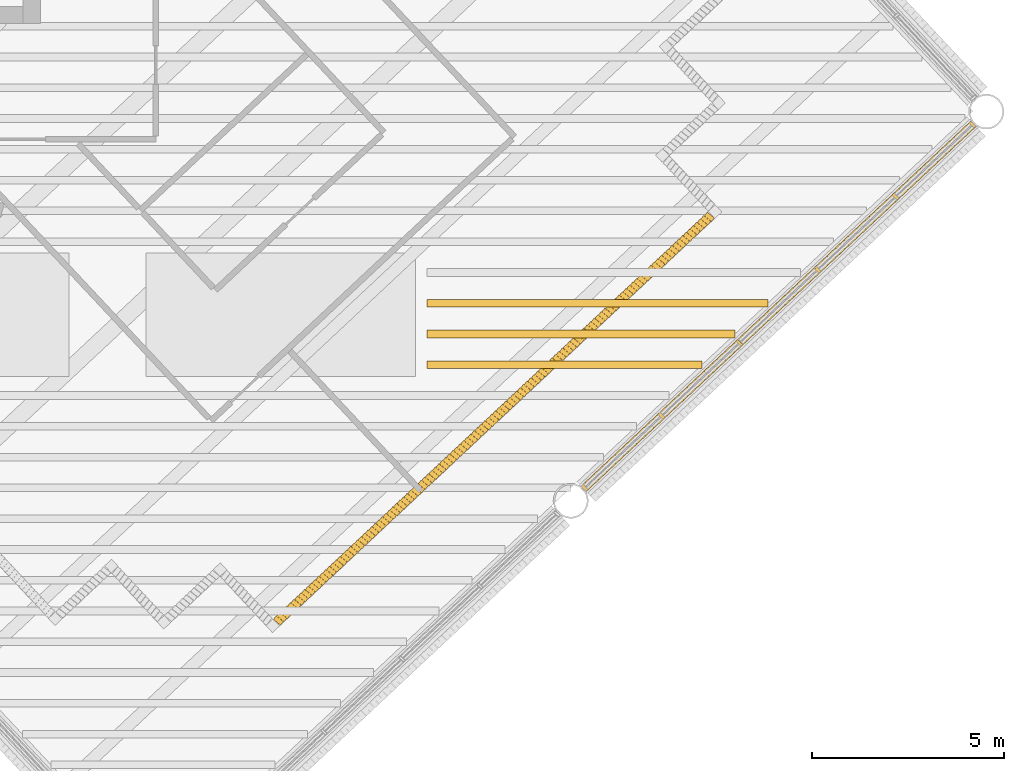
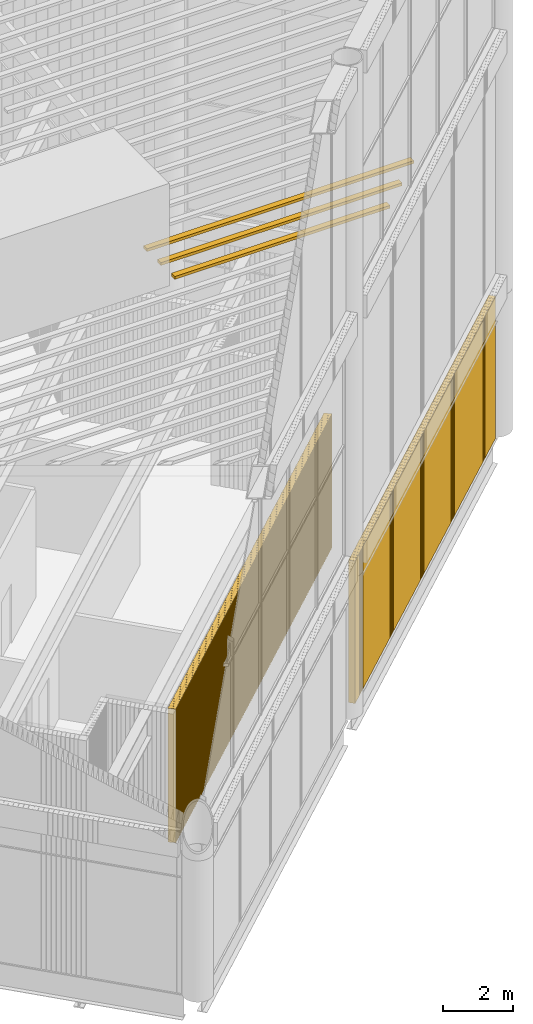
# One storey, part 108 of 117: 4 shading devices, 1 covering.
"""IFC4 building model written with IfcOpenShell, lengths in metres."""

from ifc_helpers import new_model, si_unit, direction, frame, frame_2d, origin, origin_2d, place, context, subcontext, project, spatial, rectangle, composite_profile, extrude, material, type_object, element, save


model = new_model("IFC4")

# Units and contexts
model_context = context("Model", 3, precision=1e-05, world=origin(), true_north=direction((0.0, 1.0)))
body_context = subcontext(model_context, "Body", "Model", "MODEL_VIEW")
ifc_project = project(units=[si_unit("LENGTHUNIT", "METRE"), si_unit("AREAUNIT", "SQUARE_METRE"), si_unit("VOLUMEUNIT", "CUBIC_METRE"), si_unit("PLANEANGLEUNIT", "RADIAN"), si_unit("MASSUNIT", "GRAM", prefix="KILO")], contexts=[model_context])

# Site, building, storey
site_placement = place(None, origin())
site = spatial("IfcSite", under=ifc_project, at=site_placement, CompositionType="ELEMENT")
building_placement = place(site_placement, origin())
building = spatial("IfcBuilding", under=site, at=building_placement, Name="Tarsis Ring Headquarters", CompositionType="ELEMENT")
storey_placement = place(building_placement, frame((0.0, 0.0, 403.60009765625)))
storey = spatial("IfcBuildingStorey", under=building, at=storey_placement, Name="L95", CompositionType="ELEMENT", Elevation=403.60009765625)

# Covering
ifc_material_1 = material(Name="Terracotta louvre", Category="masonry")
covering_type = type_object("IfcCoveringType", Name="Crown louvre fin", PredefinedType="CLADDING", material=ifc_material_1)
covering_placement = place(storey_placement, frame((24.120361328125, -25.0888671875, 0.0), z_axis=(0.0, 0.0, 1.0), x_axis=(0.729925980625, 0.683527612216, 0.0)))
element("IfcCovering", 1, at=covering_placement, inside=storey, type_object=covering_type, Name="Crown louvre base 4", PredefinedType="CLADDING", context=body_context, shape_type="SweptSolid", body=[
    extrude(composite_profile([rectangle(XDim=0.14501953125, YDim=0.199951171875, at=frame_2d((0.072509765625, 0.0))), rectangle(XDim=0.14501953125, YDim=0.199951171875, at=frame_2d((0.223388671875, 0.0))), rectangle(XDim=0.14501953125, YDim=0.199951171875, at=frame_2d((0.37451171875, 0.0))), rectangle(XDim=0.14501953125, YDim=0.199951171875, at=frame_2d((0.525390625, 0.0))), rectangle(XDim=0.14501953125, YDim=0.199951171875, at=frame_2d((0.676513671875, 0.0))), rectangle(XDim=0.14501953125, YDim=0.199951171875, at=frame_2d((0.827392578125, 0.0))), rectangle(XDim=0.14501953125, YDim=0.199951171875, at=frame_2d((0.978515625, 0.0))), rectangle(XDim=0.14501953125, YDim=0.199951171875, at=frame_2d((1.12939453125, 0.0))), rectangle(XDim=0.14501953125, YDim=0.199951171875, at=frame_2d((1.280517578125, 0.0))), rectangle(XDim=0.14501953125, YDim=0.199951171875, at=frame_2d((1.431396484375, 0.0))), rectangle(XDim=0.14501953125, YDim=0.199951171875, at=frame_2d((1.58251953125, 0.0))), rectangle(XDim=0.14501953125, YDim=0.199951171875, at=frame_2d((1.7333984375, 0.0))), rectangle(XDim=0.14501953125, YDim=0.199951171875, at=frame_2d((1.884521484375, 0.0))), rectangle(XDim=0.14501953125, YDim=0.199951171875, at=frame_2d((2.035400390625, 0.0))), rectangle(XDim=0.14501953125, YDim=0.199951171875, at=frame_2d((2.1865234375, 0.0))), rectangle(XDim=0.14501953125, YDim=0.199951171875, at=frame_2d((2.33740234375, 0.0))), rectangle(XDim=0.14501953125, YDim=0.199951171875, at=frame_2d((2.488525390625, 0.0))), rectangle(XDim=0.14501953125, YDim=0.199951171875, at=frame_2d((2.639404296875, 0.0))), rectangle(XDim=0.14501953125, YDim=0.199951171875, at=frame_2d((2.79052734375, 0.0))), rectangle(XDim=0.14501953125, YDim=0.199951171875, at=frame_2d((2.94140625, 0.0))), rectangle(XDim=0.14501953125, YDim=0.199951171875, at=frame_2d((3.092529296875, 0.0))), rectangle(XDim=0.14501953125, YDim=0.199951171875, at=frame_2d((3.243408203125, 0.0))), rectangle(XDim=0.14501953125, YDim=0.199951171875, at=frame_2d((3.39453125, 0.0))), rectangle(XDim=0.14501953125, YDim=0.199951171875, at=frame_2d((3.54541015625, 0.0))), rectangle(XDim=0.14501953125, YDim=0.199951171875, at=frame_2d((3.696533203125, 0.0))), rectangle(XDim=0.14501953125, YDim=0.199951171875, at=frame_2d((3.847412109375, 0.0))), rectangle(XDim=0.14501953125, YDim=0.199951171875, at=frame_2d((3.99853515625, 0.0))), rectangle(XDim=0.14501953125, YDim=0.199951171875, at=frame_2d((4.1494140625, 0.0))), rectangle(XDim=0.14501953125, YDim=0.199951171875, at=frame_2d((4.300537109375, 0.0))), rectangle(XDim=0.14501953125, YDim=0.199951171875, at=frame_2d((4.451416015625, 0.0))), rectangle(XDim=0.14501953125, YDim=0.199951171875, at=frame_2d((4.6025390625, 0.0))), rectangle(XDim=0.14501953125, YDim=0.199951171875, at=frame_2d((4.75341796875, 0.0))), rectangle(XDim=0.14501953125, YDim=0.199951171875, at=frame_2d((4.904541015625, 0.0))), rectangle(XDim=0.14501953125, YDim=0.199951171875, at=frame_2d((5.055419921875, 0.0))), rectangle(XDim=0.14501953125, YDim=0.199951171875, at=frame_2d((5.20654296875, 0.0))), rectangle(XDim=0.14501953125, YDim=0.199951171875, at=frame_2d((5.357421875, 0.0))), rectangle(XDim=0.14501953125, YDim=0.199951171875, at=frame_2d((5.508544921875, 0.0))), rectangle(XDim=0.14501953125, YDim=0.199951171875, at=frame_2d((5.659423828125, 0.0))), rectangle(XDim=0.14501953125, YDim=0.199951171875, at=frame_2d((5.810546875, 0.0))), rectangle(XDim=0.14501953125, YDim=0.199951171875, at=frame_2d((5.96142578125, 0.0))), rectangle(XDim=0.14501953125, YDim=0.199951171875, at=frame_2d((6.112548828125, 0.0))), rectangle(XDim=0.14501953125, YDim=0.199951171875, at=frame_2d((6.263427734375, 0.0))), rectangle(XDim=0.14501953125, YDim=0.199951171875, at=frame_2d((6.41455078125, 0.0))), rectangle(XDim=0.14501953125, YDim=0.199951171875, at=frame_2d((6.5654296875, 0.0))), rectangle(XDim=0.14501953125, YDim=0.199951171875, at=frame_2d((6.716552734375, 0.0))), rectangle(XDim=0.14501953125, YDim=0.199951171875, at=frame_2d((6.867431640625, 0.0))), rectangle(XDim=0.14501953125, YDim=0.199951171875, at=frame_2d((7.0185546875, 0.0))), rectangle(XDim=0.14501953125, YDim=0.199951171875, at=frame_2d((7.16943359375, 0.0))), rectangle(XDim=0.14501953125, YDim=0.199951171875, at=frame_2d((7.320556640625, 0.0))), rectangle(XDim=0.14501953125, YDim=0.199951171875, at=frame_2d((7.471435546875, 0.0))), rectangle(XDim=0.14501953125, YDim=0.199951171875, at=frame_2d((7.62255859375, 0.0))), rectangle(XDim=0.14501953125, YDim=0.199951171875, at=frame_2d((7.7734375, 0.0))), rectangle(XDim=0.14501953125, YDim=0.199951171875, at=frame_2d((7.924560546875, 0.0))), rectangle(XDim=0.14501953125, YDim=0.199951171875, at=frame_2d((8.075439453125, 0.0))), rectangle(XDim=0.14501953125, YDim=0.199951171875, at=frame_2d((8.2265625, 0.0))), rectangle(XDim=0.14501953125, YDim=0.199951171875, at=frame_2d((8.37744140625, 0.0))), rectangle(XDim=0.14501953125, YDim=0.199951171875, at=frame_2d((8.528564453125, 0.0))), rectangle(XDim=0.14501953125, YDim=0.199951171875, at=frame_2d((8.679443359375, 0.0))), rectangle(XDim=0.14501953125, YDim=0.199951171875, at=frame_2d((8.83056640625, 0.0))), rectangle(XDim=0.14501953125, YDim=0.199951171875, at=frame_2d((8.9814453125, 0.0))), rectangle(XDim=0.14501953125, YDim=0.199951171875, at=frame_2d((9.132568359375, 0.0))), rectangle(XDim=0.14501953125, YDim=0.199951171875, at=frame_2d((9.283447265625, 0.0))), rectangle(XDim=0.14501953125, YDim=0.199951171875, at=frame_2d((9.4345703125, 0.0))), rectangle(XDim=0.14501953125, YDim=0.199951171875, at=frame_2d((9.58544921875, 0.0))), rectangle(XDim=0.14501953125, YDim=0.199951171875, at=frame_2d((9.736572265625, 0.0))), rectangle(XDim=0.14501953125, YDim=0.199951171875, at=frame_2d((9.887451171875, 0.0))), rectangle(XDim=0.14501953125, YDim=0.199951171875, at=frame_2d((10.03857421875, 0.0))), rectangle(XDim=0.14501953125, YDim=0.199951171875, at=frame_2d((10.189453125, 0.0))), rectangle(XDim=0.14501953125, YDim=0.199951171875, at=frame_2d((10.340576171875, 0.0))), rectangle(XDim=0.14501953125, YDim=0.199951171875, at=frame_2d((10.491455078125, 0.0))), rectangle(XDim=0.14501953125, YDim=0.199951171875, at=frame_2d((10.642578125, 0.0))), rectangle(XDim=0.14501953125, YDim=0.199951171875, at=frame_2d((10.79345703125, 0.0))), rectangle(XDim=0.14501953125, YDim=0.199951171875, at=frame_2d((10.944580078125, 0.0))), rectangle(XDim=0.14501953125, YDim=0.199951171875, at=frame_2d((11.095458984375, 0.0))), rectangle(XDim=0.14501953125, YDim=0.199951171875, at=frame_2d((11.24658203125, 0.0))), rectangle(XDim=0.14501953125, YDim=0.199951171875, at=frame_2d((11.3974609375, 0.0))), rectangle(XDim=0.14501953125, YDim=0.199951171875, at=frame_2d((11.548583984375, 0.0))), rectangle(XDim=0.14501953125, YDim=0.199951171875, at=frame_2d((11.699462890625, 0.0))), rectangle(XDim=0.14501953125, YDim=0.199951171875, at=frame_2d((11.8505859375, 0.0))), rectangle(XDim=0.14501953125, YDim=0.199951171875, at=frame_2d((12.00146484375, 0.0))), rectangle(XDim=0.14501953125, YDim=0.199951171875, at=frame_2d((12.152587890625, 0.0))), rectangle(XDim=0.14501953125, YDim=0.199951171875, at=frame_2d((12.303466796875, 0.0))), rectangle(XDim=0.14501953125, YDim=0.199951171875, at=frame_2d((12.45458984375, 0.0))), rectangle(XDim=0.14501953125, YDim=0.199951171875, at=frame_2d((12.60546875, 0.0))), rectangle(XDim=0.14501953125, YDim=0.199951171875, at=frame_2d((12.756591796875, 0.0))), rectangle(XDim=0.14501953125, YDim=0.199951171875, at=frame_2d((12.907470703125, 0.0))), rectangle(XDim=0.14501953125, YDim=0.199951171875, at=frame_2d((13.05859375, 0.0))), rectangle(XDim=0.14501953125, YDim=0.199951171875, at=frame_2d((13.20947265625, 0.0))), rectangle(XDim=0.14501953125, YDim=0.199951171875, at=frame_2d((13.360595703125, 0.0))), rectangle(XDim=0.14501953125, YDim=0.199951171875, at=frame_2d((13.511474609375, 0.0))), rectangle(XDim=0.14501953125, YDim=0.199951171875, at=frame_2d((13.66259765625, 0.0))), rectangle(XDim=0.14501953125, YDim=0.199951171875, at=frame_2d((13.8134765625, 0.0)))]), origin(), (0.0, 0.0, 1.0), 5.0),
])

# Shading devices
ifc_material_2 = material(Name="Aluminium louvre", Category="aluminium")
shading_device_type_1 = type_object("IfcShadingDeviceType", Name="Crown roof louvre blade", PredefinedType="USERDEFINED", material=ifc_material_2)
shading_device_1_placement = place(storey_placement, frame((23.623046875, -21.8642578125, 14.39990234375), z_axis=(0.0, 0.0, 1.0), x_axis=(1.0, 0.0, 0.0)))
element("IfcShadingDevice", 2, at=shading_device_1_placement, inside=storey, type_object=shading_device_type_1, Name="Crown roof louvre 29", ObjectType="Crown roof louvre", PredefinedType="USERDEFINED", context=body_context, shape_type="SweptSolid", body=[
    extrude(rectangle(XDim=7.150634765625, YDim=0.199951171875, at=origin_2d()), origin(), (0.0, 0.0, 1.0), 0.10009765625),
])
shading_device_2_placement = place(storey_placement, frame((24.050048828125, -21.064208984375, 14.39990234375), z_axis=(0.0, 0.0, 1.0), x_axis=(1.0, 0.0, 0.0)))
element("IfcShadingDevice", 3, at=shading_device_2_placement, inside=storey, type_object=shading_device_type_1, Name="Crown roof louvre 32", ObjectType="Crown roof louvre", PredefinedType="USERDEFINED", context=body_context, shape_type="SweptSolid", body=[
    extrude(rectangle(XDim=8.0048828125, YDim=0.199951171875, at=origin_2d()), origin(), (0.0, 0.0, 1.0), 0.10009765625),
])
shading_device_3_placement = place(storey_placement, frame((24.477294921875, -20.26416015625, 14.39990234375), z_axis=(0.0, 0.0, 1.0), x_axis=(1.0, 0.0, 0.0)))
element("IfcShadingDevice", 4, at=shading_device_3_placement, inside=storey, type_object=shading_device_type_1, Name="Crown roof louvre 35", ObjectType="Crown roof louvre", PredefinedType="USERDEFINED", context=body_context, shape_type="SweptSolid", body=[
    extrude(rectangle(XDim=8.859375, YDim=0.199951171875, at=origin_2d()), origin(), (0.0, 0.0, 1.0), 0.10009765625),
])
shading_device_type_2 = type_object("IfcShadingDeviceType", Name="Plant louvre fin", PredefinedType="USERDEFINED", material=ifc_material_2)
shading_device_4_placement = place(storey_placement, frame((16.130615234375, -28.563720703125, 0.0), z_axis=(0.0, 0.0, 1.0), x_axis=(0.729917464718, 0.683530745968, 0.0)))
element("IfcShadingDevice", 5, at=shading_device_4_placement, inside=storey, type_object=shading_device_type_2, Name="Louvre L95-11", ObjectType="Louvre", PredefinedType="USERDEFINED", context=body_context, shape_type="SweptSolid", body=[
    extrude(composite_profile([rectangle(XDim=0.1201171875, YDim=0.239990234375, at=frame_2d((0.076171875, 0.0), x_axis=(0.990268068742, 0.13917310096))), rectangle(XDim=0.1201171875, YDim=0.239990234375, at=frame_2d((0.201904296875, 0.0), x_axis=(0.990268068742, 0.13917310096))), rectangle(XDim=0.1201171875, YDim=0.239990234375, at=frame_2d((0.327880859375, 0.0), x_axis=(0.990268068742, 0.13917310096))), rectangle(XDim=0.1201171875, YDim=0.239990234375, at=frame_2d((0.45361328125, 0.0), x_axis=(0.990268068742, 0.13917310096))), rectangle(XDim=0.1201171875, YDim=0.239990234375, at=frame_2d((0.579345703125, 0.0), x_axis=(0.990268068742, 0.13917310096))), rectangle(XDim=0.1201171875, YDim=0.239990234375, at=frame_2d((0.705078125, 0.0), x_axis=(0.990268068742, 0.13917310096))), rectangle(XDim=0.1201171875, YDim=0.239990234375, at=frame_2d((0.8310546875, 0.0), x_axis=(0.990268068742, 0.13917310096))), rectangle(XDim=0.1201171875, YDim=0.239990234375, at=frame_2d((0.956787109375, 0.0), x_axis=(0.990268068742, 0.13917310096))), rectangle(XDim=0.1201171875, YDim=0.239990234375, at=frame_2d((1.08251953125, 0.0), x_axis=(0.990268068742, 0.13917310096))), rectangle(XDim=0.1201171875, YDim=0.239990234375, at=frame_2d((1.208251953125, 0.0), x_axis=(0.990268068742, 0.13917310096))), rectangle(XDim=0.1201171875, YDim=0.239990234375, at=frame_2d((1.334228515625, 0.0), x_axis=(0.990268068742, 0.13917310096))), rectangle(XDim=0.1201171875, YDim=0.239990234375, at=frame_2d((1.4599609375, 0.0), x_axis=(0.990268068742, 0.13917310096))), rectangle(XDim=0.1201171875, YDim=0.239990234375, at=frame_2d((1.585693359375, 0.0), x_axis=(0.990268068742, 0.13917310096))), rectangle(XDim=0.1201171875, YDim=0.239990234375, at=frame_2d((1.711669921875, 0.0), x_axis=(0.990268068742, 0.13917310096))), rectangle(XDim=0.1201171875, YDim=0.239990234375, at=frame_2d((1.83740234375, 0.0), x_axis=(0.990268068742, 0.13917310096))), rectangle(XDim=0.1201171875, YDim=0.239990234375, at=frame_2d((1.963134765625, 0.0), x_axis=(0.990268068742, 0.13917310096))), rectangle(XDim=0.1201171875, YDim=0.239990234375, at=frame_2d((2.0888671875, 0.0), x_axis=(0.990268068742, 0.13917310096))), rectangle(XDim=0.1201171875, YDim=0.239990234375, at=frame_2d((2.21484375, 0.0), x_axis=(0.990268068742, 0.13917310096))), rectangle(XDim=0.1201171875, YDim=0.239990234375, at=frame_2d((2.340576171875, 0.0), x_axis=(0.990268068742, 0.13917310096))), rectangle(XDim=0.1201171875, YDim=0.239990234375, at=frame_2d((2.46630859375, 0.0), x_axis=(0.990268068742, 0.13917310096))), rectangle(XDim=0.1201171875, YDim=0.239990234375, at=frame_2d((2.592041015625, 0.0), x_axis=(0.990268068742, 0.13917310096))), rectangle(XDim=0.1201171875, YDim=0.239990234375, at=frame_2d((2.718017578125, 0.0), x_axis=(0.990268068742, 0.13917310096))), rectangle(XDim=0.1201171875, YDim=0.239990234375, at=frame_2d((2.84375, 0.0), x_axis=(0.990268068742, 0.13917310096))), rectangle(XDim=0.1201171875, YDim=0.239990234375, at=frame_2d((2.969482421875, 0.0), x_axis=(0.990268068742, 0.13917310096))), rectangle(XDim=0.1201171875, YDim=0.239990234375, at=frame_2d((3.09521484375, 0.0), x_axis=(0.990268068742, 0.13917310096))), rectangle(XDim=0.1201171875, YDim=0.239990234375, at=frame_2d((3.22119140625, 0.0), x_axis=(0.990268068742, 0.13917310096))), rectangle(XDim=0.1201171875, YDim=0.239990234375, at=frame_2d((3.346923828125, 0.0), x_axis=(0.990268068742, 0.13917310096))), rectangle(XDim=0.1201171875, YDim=0.239990234375, at=frame_2d((3.47265625, 0.0), x_axis=(0.990268068742, 0.13917310096))), rectangle(XDim=0.1201171875, YDim=0.239990234375, at=frame_2d((3.5986328125, 0.0), x_axis=(0.990268068742, 0.13917310096))), rectangle(XDim=0.1201171875, YDim=0.239990234375, at=frame_2d((3.724365234375, 0.0), x_axis=(0.990268068742, 0.13917310096))), rectangle(XDim=0.1201171875, YDim=0.239990234375, at=frame_2d((3.85009765625, 0.0), x_axis=(0.990268068742, 0.13917310096))), rectangle(XDim=0.1201171875, YDim=0.239990234375, at=frame_2d((3.975830078125, 0.0), x_axis=(0.990268068742, 0.13917310096))), rectangle(XDim=0.1201171875, YDim=0.239990234375, at=frame_2d((4.101806640625, 0.0), x_axis=(0.990268068742, 0.13917310096))), rectangle(XDim=0.1201171875, YDim=0.239990234375, at=frame_2d((4.2275390625, 0.0), x_axis=(0.990268068742, 0.13917310096))), rectangle(XDim=0.1201171875, YDim=0.239990234375, at=frame_2d((4.353271484375, 0.0), x_axis=(0.990268068742, 0.13917310096))), rectangle(XDim=0.1201171875, YDim=0.239990234375, at=frame_2d((4.47900390625, 0.0), x_axis=(0.990268068742, 0.13917310096))), rectangle(XDim=0.1201171875, YDim=0.239990234375, at=frame_2d((4.60498046875, 0.0), x_axis=(0.990268068742, 0.13917310096))), rectangle(XDim=0.1201171875, YDim=0.239990234375, at=frame_2d((4.730712890625, 0.0), x_axis=(0.990268068742, 0.13917310096))), rectangle(XDim=0.1201171875, YDim=0.239990234375, at=frame_2d((4.8564453125, 0.0), x_axis=(0.990268068742, 0.13917310096))), rectangle(XDim=0.1201171875, YDim=0.239990234375, at=frame_2d((4.982421875, 0.0), x_axis=(0.990268068742, 0.13917310096))), rectangle(XDim=0.1201171875, YDim=0.239990234375, at=frame_2d((5.108154296875, 0.0), x_axis=(0.990268068742, 0.13917310096))), rectangle(XDim=0.1201171875, YDim=0.239990234375, at=frame_2d((5.23388671875, 0.0), x_axis=(0.990268068742, 0.13917310096))), rectangle(XDim=0.1201171875, YDim=0.239990234375, at=frame_2d((5.359619140625, 0.0), x_axis=(0.990268068742, 0.13917310096))), rectangle(XDim=0.1201171875, YDim=0.239990234375, at=frame_2d((5.485595703125, 0.0), x_axis=(0.990268068742, 0.13917310096))), rectangle(XDim=0.1201171875, YDim=0.239990234375, at=frame_2d((5.611328125, 0.0), x_axis=(0.990268068742, 0.13917310096))), rectangle(XDim=0.1201171875, YDim=0.239990234375, at=frame_2d((5.737060546875, 0.0), x_axis=(0.990268068742, 0.13917310096))), rectangle(XDim=0.1201171875, YDim=0.239990234375, at=frame_2d((5.86279296875, 0.0), x_axis=(0.990268068742, 0.13917310096))), rectangle(XDim=0.1201171875, YDim=0.239990234375, at=frame_2d((5.98876953125, 0.0), x_axis=(0.990268068742, 0.13917310096))), rectangle(XDim=0.1201171875, YDim=0.239990234375, at=frame_2d((6.114501953125, 0.0), x_axis=(0.990268068742, 0.13917310096))), rectangle(XDim=0.1201171875, YDim=0.239990234375, at=frame_2d((6.240234375, 0.0), x_axis=(0.990268068742, 0.13917310096))), rectangle(XDim=0.1201171875, YDim=0.239990234375, at=frame_2d((6.3662109375, 0.0), x_axis=(0.990268068742, 0.13917310096))), rectangle(XDim=0.1201171875, YDim=0.239990234375, at=frame_2d((6.491943359375, 0.0), x_axis=(0.990268068742, 0.13917310096))), rectangle(XDim=0.1201171875, YDim=0.239990234375, at=frame_2d((6.61767578125, 0.0), x_axis=(0.990268068742, 0.13917310096))), rectangle(XDim=0.1201171875, YDim=0.239990234375, at=frame_2d((6.743408203125, 0.0), x_axis=(0.990268068742, 0.13917310096))), rectangle(XDim=0.1201171875, YDim=0.239990234375, at=frame_2d((6.869384765625, 0.0), x_axis=(0.990268068742, 0.13917310096))), rectangle(XDim=0.1201171875, YDim=0.239990234375, at=frame_2d((6.9951171875, 0.0), x_axis=(0.990268068742, 0.13917310096))), rectangle(XDim=0.1201171875, YDim=0.239990234375, at=frame_2d((7.120849609375, 0.0), x_axis=(0.990268068742, 0.13917310096))), rectangle(XDim=0.1201171875, YDim=0.239990234375, at=frame_2d((7.24658203125, 0.0), x_axis=(0.990268068742, 0.13917310096))), rectangle(XDim=0.1201171875, YDim=0.239990234375, at=frame_2d((7.37255859375, 0.0), x_axis=(0.990268068742, 0.13917310096))), rectangle(XDim=0.1201171875, YDim=0.239990234375, at=frame_2d((7.498291015625, 0.0), x_axis=(0.990268068742, 0.13917310096))), rectangle(XDim=0.1201171875, YDim=0.239990234375, at=frame_2d((7.6240234375, 0.0), x_axis=(0.990268068742, 0.13917310096))), rectangle(XDim=0.1201171875, YDim=0.239990234375, at=frame_2d((7.75, 0.0), x_axis=(0.990268068742, 0.13917310096))), rectangle(XDim=0.1201171875, YDim=0.239990234375, at=frame_2d((7.875732421875, 0.0), x_axis=(0.990268068742, 0.13917310096))), rectangle(XDim=0.1201171875, YDim=0.239990234375, at=frame_2d((8.00146484375, 0.0), x_axis=(0.990268068742, 0.13917310096))), rectangle(XDim=0.1201171875, YDim=0.239990234375, at=frame_2d((8.127197265625, 0.0), x_axis=(0.990268068742, 0.13917310096))), rectangle(XDim=0.1201171875, YDim=0.239990234375, at=frame_2d((8.253173828125, 0.0), x_axis=(0.990268068742, 0.13917310096))), rectangle(XDim=0.1201171875, YDim=0.239990234375, at=frame_2d((8.37890625, 0.0), x_axis=(0.990268068742, 0.13917310096))), rectangle(XDim=0.1201171875, YDim=0.239990234375, at=frame_2d((8.504638671875, 0.0), x_axis=(0.990268068742, 0.13917310096))), rectangle(XDim=0.1201171875, YDim=0.239990234375, at=frame_2d((8.63037109375, 0.0), x_axis=(0.990268068742, 0.13917310096))), rectangle(XDim=0.1201171875, YDim=0.239990234375, at=frame_2d((8.75634765625, 0.0), x_axis=(0.990268068742, 0.13917310096))), rectangle(XDim=0.1201171875, YDim=0.239990234375, at=frame_2d((8.882080078125, 0.0), x_axis=(0.990268068742, 0.13917310096))), rectangle(XDim=0.1201171875, YDim=0.239990234375, at=frame_2d((9.0078125, 0.0), x_axis=(0.990268068742, 0.13917310096))), rectangle(XDim=0.1201171875, YDim=0.239990234375, at=frame_2d((9.133544921875, 0.0), x_axis=(0.990268068742, 0.13917310096))), rectangle(XDim=0.1201171875, YDim=0.239990234375, at=frame_2d((9.259521484375, 0.0), x_axis=(0.990268068742, 0.13917310096))), rectangle(XDim=0.1201171875, YDim=0.239990234375, at=frame_2d((9.38525390625, 0.0), x_axis=(0.990268068742, 0.13917310096))), rectangle(XDim=0.1201171875, YDim=0.239990234375, at=frame_2d((9.510986328125, 0.0), x_axis=(0.990268068742, 0.13917310096))), rectangle(XDim=0.1201171875, YDim=0.239990234375, at=frame_2d((9.636962890625, 0.0), x_axis=(0.990268068742, 0.13917310096))), rectangle(XDim=0.1201171875, YDim=0.239990234375, at=frame_2d((9.7626953125, 0.0), x_axis=(0.990268068742, 0.13917310096))), rectangle(XDim=0.1201171875, YDim=0.239990234375, at=frame_2d((9.888427734375, 0.0), x_axis=(0.990268068742, 0.13917310096))), rectangle(XDim=0.1201171875, YDim=0.239990234375, at=frame_2d((10.01416015625, 0.0), x_axis=(0.990268068742, 0.13917310096))), rectangle(XDim=0.1201171875, YDim=0.239990234375, at=frame_2d((10.14013671875, 0.0), x_axis=(0.990268068742, 0.13917310096))), rectangle(XDim=0.1201171875, YDim=0.239990234375, at=frame_2d((10.265869140625, 0.0), x_axis=(0.990268068742, 0.13917310096))), rectangle(XDim=0.1201171875, YDim=0.239990234375, at=frame_2d((10.3916015625, 0.0), x_axis=(0.990268068742, 0.13917310096))), rectangle(XDim=0.1201171875, YDim=0.239990234375, at=frame_2d((10.517333984375, 0.0), x_axis=(0.990268068742, 0.13917310096))), rectangle(XDim=0.1201171875, YDim=0.239990234375, at=frame_2d((10.643310546875, 0.0), x_axis=(0.990268068742, 0.13917310096))), rectangle(XDim=0.1201171875, YDim=0.239990234375, at=frame_2d((10.76904296875, 0.0), x_axis=(0.990268068742, 0.13917310096))), rectangle(XDim=0.1201171875, YDim=0.239990234375, at=frame_2d((10.894775390625, 0.0), x_axis=(0.990268068742, 0.13917310096))), rectangle(XDim=0.1201171875, YDim=0.239990234375, at=frame_2d((11.020751953125, 0.0), x_axis=(0.990268068742, 0.13917310096))), rectangle(XDim=0.1201171875, YDim=0.239990234375, at=frame_2d((11.146484375, 0.0), x_axis=(0.990268068742, 0.13917310096))), rectangle(XDim=0.1201171875, YDim=0.239990234375, at=frame_2d((11.272216796875, 0.0), x_axis=(0.990268068742, 0.13917310096))), rectangle(XDim=0.1201171875, YDim=0.239990234375, at=frame_2d((11.39794921875, 0.0), x_axis=(0.990268068742, 0.13917310096))), rectangle(XDim=0.1201171875, YDim=0.239990234375, at=frame_2d((11.52392578125, 0.0), x_axis=(0.990268068742, 0.13917310096))), rectangle(XDim=0.1201171875, YDim=0.239990234375, at=frame_2d((11.649658203125, 0.0), x_axis=(0.990268068742, 0.13917310096))), rectangle(XDim=0.1201171875, YDim=0.239990234375, at=frame_2d((11.775390625, 0.0), x_axis=(0.990268068742, 0.13917310096))), rectangle(XDim=0.1201171875, YDim=0.239990234375, at=frame_2d((11.901123046875, 0.0), x_axis=(0.990268068742, 0.13917310096))), rectangle(XDim=0.1201171875, YDim=0.239990234375, at=frame_2d((12.027099609375, 0.0), x_axis=(0.990268068742, 0.13917310096))), rectangle(XDim=0.1201171875, YDim=0.239990234375, at=frame_2d((12.15283203125, 0.0), x_axis=(0.990268068742, 0.13917310096))), rectangle(XDim=0.1201171875, YDim=0.239990234375, at=frame_2d((12.278564453125, 0.0), x_axis=(0.990268068742, 0.13917310096))), rectangle(XDim=0.1201171875, YDim=0.239990234375, at=frame_2d((12.404541015625, 0.0), x_axis=(0.990268068742, 0.13917310096))), rectangle(XDim=0.1201171875, YDim=0.239990234375, at=frame_2d((12.5302734375, 0.0), x_axis=(0.990268068742, 0.13917310096))), rectangle(XDim=0.1201171875, YDim=0.239990234375, at=frame_2d((12.656005859375, 0.0), x_axis=(0.990268068742, 0.13917310096))), rectangle(XDim=0.1201171875, YDim=0.239990234375, at=frame_2d((12.78173828125, 0.0), x_axis=(0.990268068742, 0.13917310096))), rectangle(XDim=0.1201171875, YDim=0.239990234375, at=frame_2d((12.90771484375, 0.0), x_axis=(0.990268068742, 0.13917310096))), rectangle(XDim=0.1201171875, YDim=0.239990234375, at=frame_2d((13.033447265625, 0.0), x_axis=(0.990268068742, 0.13917310096))), rectangle(XDim=0.1201171875, YDim=0.239990234375, at=frame_2d((13.1591796875, 0.0), x_axis=(0.990268068742, 0.13917310096))), rectangle(XDim=0.1201171875, YDim=0.239990234375, at=frame_2d((13.284912109375, 0.0), x_axis=(0.990268068742, 0.13917310096))), rectangle(XDim=0.1201171875, YDim=0.239990234375, at=frame_2d((13.410888671875, 0.0), x_axis=(0.990268068742, 0.13917310096))), rectangle(XDim=0.1201171875, YDim=0.239990234375, at=frame_2d((13.53662109375, 0.0), x_axis=(0.990268068742, 0.13917310096))), rectangle(XDim=0.1201171875, YDim=0.239990234375, at=frame_2d((13.662353515625, 0.0), x_axis=(0.990268068742, 0.13917310096))), rectangle(XDim=0.1201171875, YDim=0.239990234375, at=frame_2d((13.7880859375, 0.0), x_axis=(0.990268068742, 0.13917310096))), rectangle(XDim=0.1201171875, YDim=0.239990234375, at=frame_2d((13.9140625, 0.0), x_axis=(0.990268068742, 0.13917310096))), rectangle(XDim=0.1201171875, YDim=0.239990234375, at=frame_2d((14.039794921875, 0.0), x_axis=(0.990268068742, 0.13917310096))), rectangle(XDim=0.1201171875, YDim=0.239990234375, at=frame_2d((14.16552734375, 0.0), x_axis=(0.990268068742, 0.13917310096))), rectangle(XDim=0.1201171875, YDim=0.239990234375, at=frame_2d((14.29150390625, 0.0), x_axis=(0.990268068742, 0.13917310096))), rectangle(XDim=0.1201171875, YDim=0.239990234375, at=frame_2d((14.417236328125, 0.0), x_axis=(0.990268068742, 0.13917310096))), rectangle(XDim=0.1201171875, YDim=0.239990234375, at=frame_2d((14.54296875, 0.0), x_axis=(0.990268068742, 0.13917310096))), rectangle(XDim=0.1201171875, YDim=0.239990234375, at=frame_2d((14.668701171875, 0.0), x_axis=(0.990268068742, 0.13917310096))), rectangle(XDim=0.1201171875, YDim=0.239990234375, at=frame_2d((14.794677734375, 0.0), x_axis=(0.990268068742, 0.13917310096))), rectangle(XDim=0.1201171875, YDim=0.239990234375, at=frame_2d((14.92041015625, 0.0), x_axis=(0.990268068742, 0.13917310096))), rectangle(XDim=0.1201171875, YDim=0.239990234375, at=frame_2d((15.046142578125, 0.0), x_axis=(0.990268068742, 0.13917310096))), rectangle(XDim=0.1201171875, YDim=0.239990234375, at=frame_2d((15.171875, 0.0), x_axis=(0.990268068742, 0.13917310096))), rectangle(XDim=0.1201171875, YDim=0.239990234375, at=frame_2d((15.2978515625, 0.0), x_axis=(0.990268068742, 0.13917310096))), rectangle(XDim=0.1201171875, YDim=0.239990234375, at=frame_2d((15.423583984375, 0.0), x_axis=(0.990268068742, 0.13917310096)))]), origin(), (0.0, 0.0, 1.0), 4.699951171875),
])

save(model, "model.ifc")
